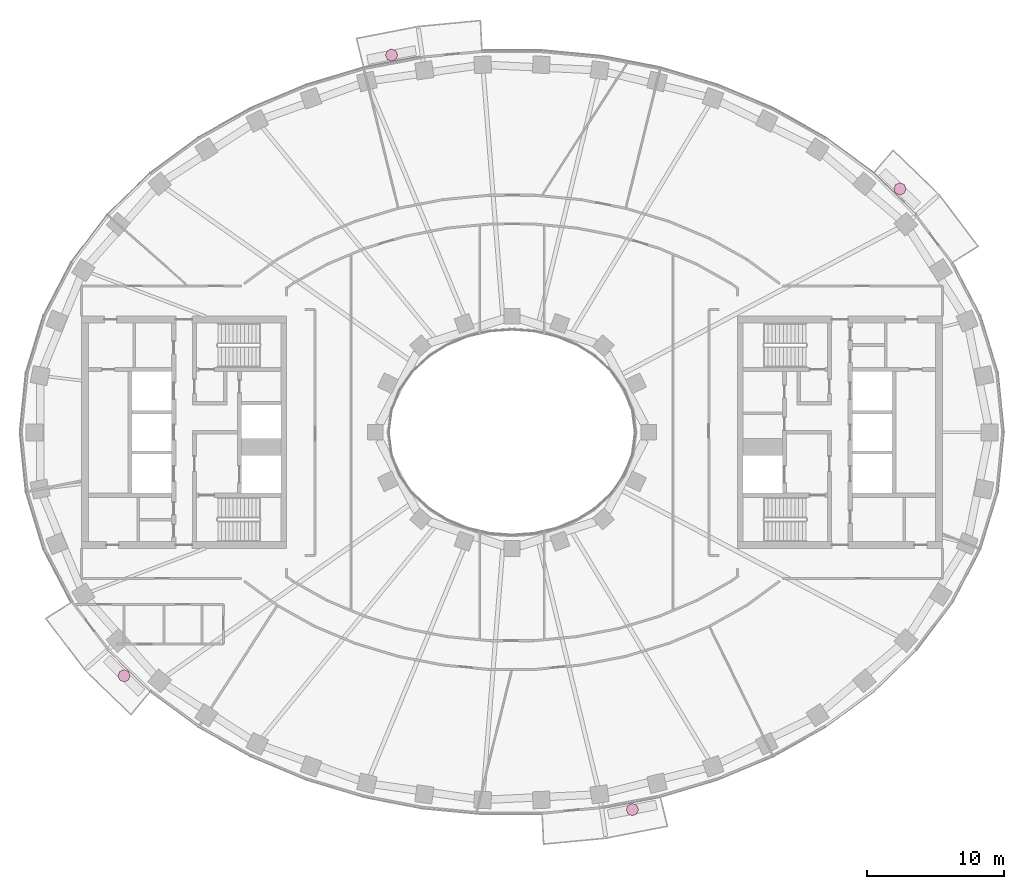
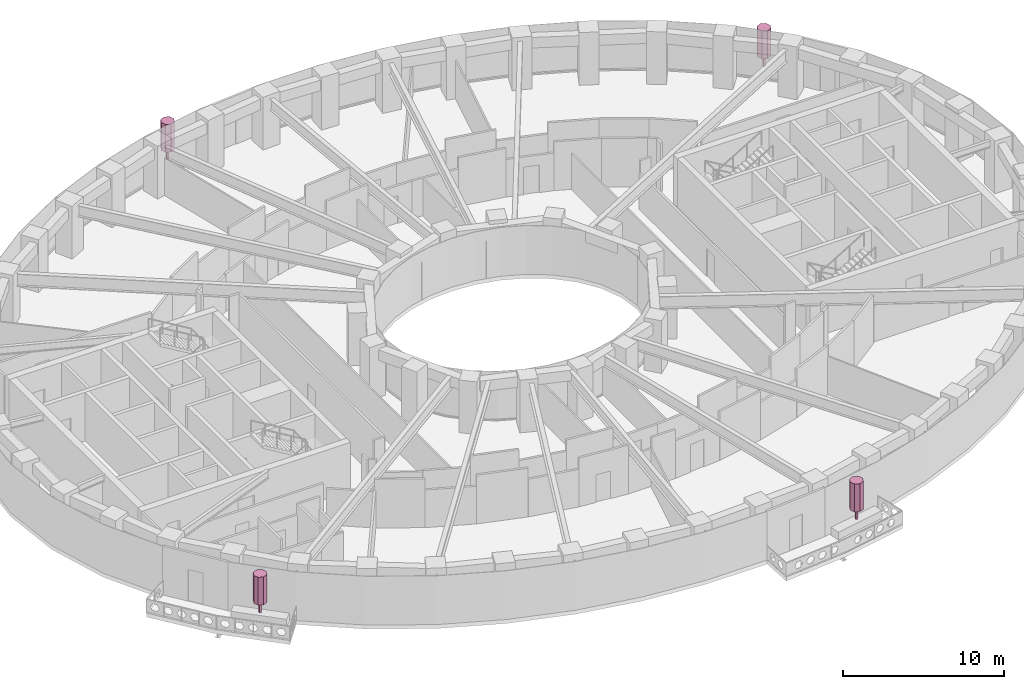
# One storey, part 16 of 16: 4 furnishings.
"""IFC4 building model written with IfcOpenShell, lengths in metres."""

from ifc_helpers import new_model, si_unit, direction, frame, origin, origin_2d, place, context, subcontext, project, spatial, polyline, rectangle, outline, extrude, material, type_object, element, save


model = new_model("IFC4")

# Units and contexts
model_context = context("Model", 3, precision=1e-05, world=origin(), true_north=direction((0.0, 1.0)))
body_context = subcontext(model_context, "Body", "Model", "MODEL_VIEW")
ifc_project = project(units=[si_unit("LENGTHUNIT", "METRE"), si_unit("AREAUNIT", "SQUARE_METRE"), si_unit("VOLUMEUNIT", "CUBIC_METRE"), si_unit("PLANEANGLEUNIT", "RADIAN"), si_unit("MASSUNIT", "GRAM", prefix="KILO")], contexts=[model_context])

# Site, building, storey
site_placement = place(None, origin())
site = spatial("IfcSite", under=ifc_project, at=site_placement, CompositionType="ELEMENT")
building_placement = place(site_placement, origin())
building = spatial("IfcBuilding", under=site, at=building_placement, Name="Noorbagh Ring Tower", CompositionType="ELEMENT")
storey_placement = place(building_placement, frame((0.0, 0.0, 132.0)))
storey = spatial("IfcBuildingStorey", under=building, at=storey_placement, Name="L30", CompositionType="ELEMENT", Elevation=132.0)

# Furnishings
ifc_material = material(Name="Planting foliage green")
furnishing_element_type = type_object("IfcFurnishingElementType", Name="ENV-TREE", material=ifc_material)
for number, where, z_axis, x_axis, name in (
    (1, (28.3837890625, 17.814208984375, 0.60009765625), (0.0, 0.0, 1.0), (1.0, 0.0, 0.0), "Tree BN01"),
    (2, (-8.807861328125, 27.603515625, 0.60009765625), (0.0, 0.0, 1.0), (1.0, 0.0, 0.0), "Tree BN04"),
    (3, (-28.3837890625, -17.814208984375, 0.60009765625), (0.0, 0.0, 1.0), (1.0, 0.0, 0.0), "Tree BS01"),
    (4, (8.807861328125, -27.603515625, 0.60009765625), (0.0, 0.0, 1.0), (1.0, 0.0, 0.0), "Tree BS04"),
):
    element("IfcFurnishingElement", number, at=place(storey_placement, frame(where, z_axis=z_axis, x_axis=x_axis)), inside=storey, type_object=furnishing_element_type, Name=name, context=body_context, shape_type="SweptSolid", body=[
        extrude(rectangle(XDim=0.1201171875, YDim=0.1201171875, at=origin_2d()), origin(), (0.0, 0.0, 1.0), 0.825927734375),
        extrude(outline(polyline([(0.449951171875, 0.0), (0.318115234375, 0.318115234375), (0.0, 0.449951171875), (-0.318115234375, 0.318115234375), (-0.449951171875, 0.0), (-0.318115234375, -0.318115234375), (0.0, -0.449951171875), (0.318115234375, -0.318115234375), (0.449951171875, 0.0)])), frame((0.0, 0.0, 0.825927734375)), (0.0, 0.0, 1.0), 2.1240234375),
    ])

save(model, "model.ifc")
